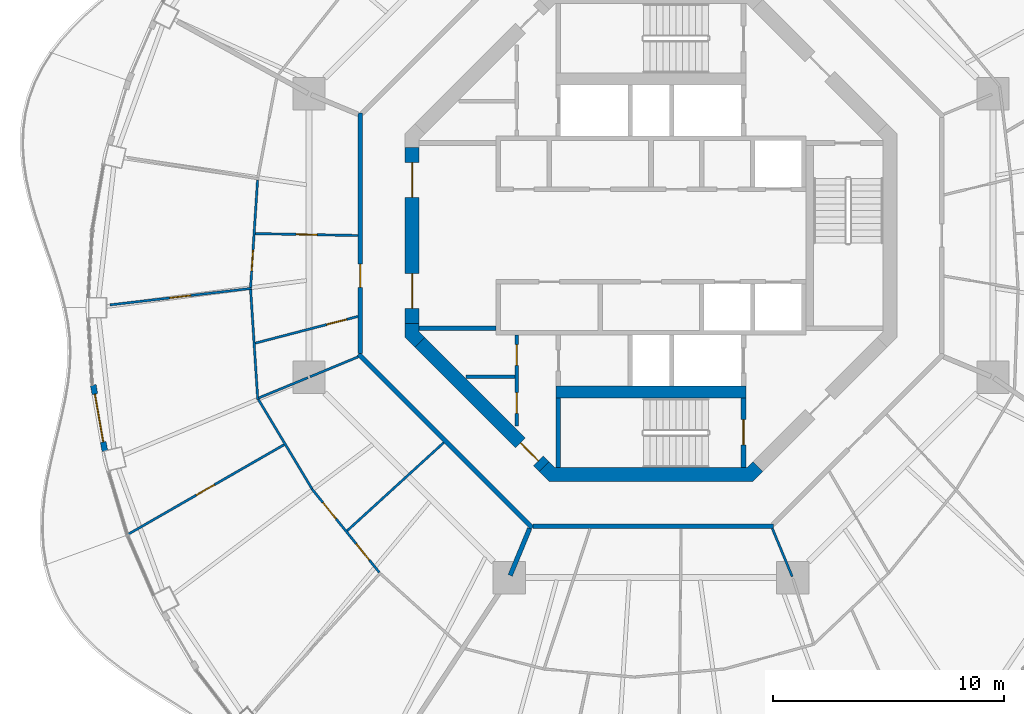
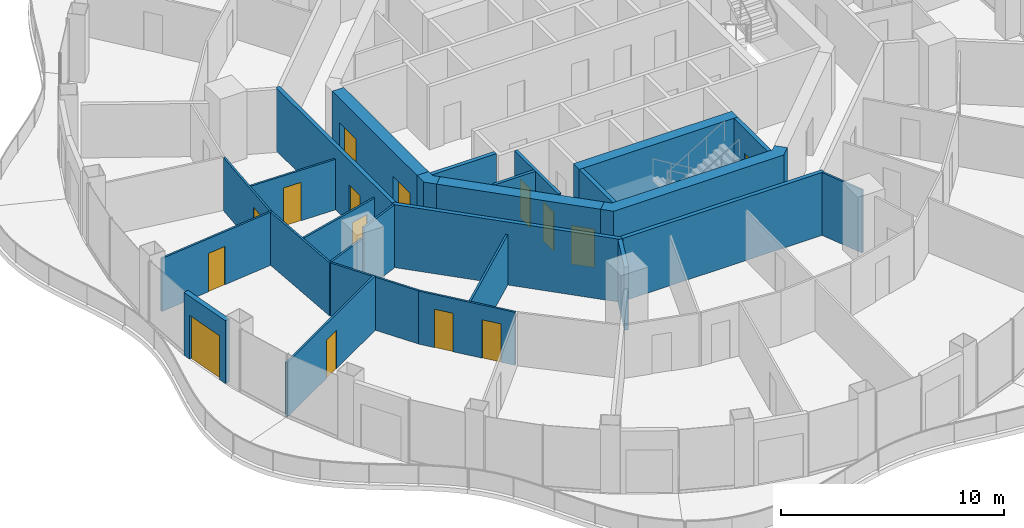
# One storey, part 10 of 17: 27 walls, 15 doors, 15 openings.
"""IFC4 building model written with IfcOpenShell, lengths in metres."""

from ifc_helpers import new_model, si_unit, direction, frame, frame_2d, origin, place, context, subcontext, project, spatial, polyline, rectangle, outline, extrude, material, layer, layer_set, type_object, element, fill, save


model = new_model("IFC4")

# Units and contexts
model_context = context("Model", 3, precision=1e-05, world=origin(), true_north=direction((0.0, 1.0)))
body_context = subcontext(model_context, "Body", "Model", "MODEL_VIEW")
ifc_project = project(units=[si_unit("LENGTHUNIT", "METRE"), si_unit("AREAUNIT", "SQUARE_METRE"), si_unit("VOLUMEUNIT", "CUBIC_METRE"), si_unit("PLANEANGLEUNIT", "RADIAN"), si_unit("MASSUNIT", "GRAM", prefix="KILO")], contexts=[model_context])

# Site, building, storey
site_placement = place(None, origin())
site = spatial("IfcSite", under=ifc_project, at=site_placement, CompositionType="ELEMENT")
building_placement = place(site_placement, origin())
building = spatial("IfcBuilding", under=site, at=building_placement, Name="Nagisa Residences", CompositionType="ELEMENT")
storey_placement = place(building_placement, frame((0.0, 0.0, 265.89990234375)))
storey = spatial("IfcBuildingStorey", under=building, at=storey_placement, Name="L67", CompositionType="ELEMENT", Elevation=265.89990234375)

# Wall
ifc_material_1 = material(Name="Gypsum board on steel studs", Category="steel")
ifc_layer_1 = layer(ifc_material_1, 0.199951171875)
ifc_layer_set_1 = layer_set([ifc_layer_1], Name="Apartment compartment wall EI60 200")
wall_type_1 = type_object("IfcWallType", Name="Apartment compartment wall EI60 200", PredefinedType="PARTITIONING", material=ifc_layer_set_1)
wall_1_placement = place(storey_placement, frame((-5.24267578125, -12.6572265625, 0.0), z_axis=(0.0, 0.0, 1.0), x_axis=(-0.382770106157, -0.923843626288, 0.0)))
element("IfcWall", 1, at=wall_1_placement, inside=storey, type_object=wall_type_1, Name="wall:L67:u04", PredefinedType="PARTITIONING", context=body_context, shape_type="SweptSolid", body=[
    extrude(rectangle(XDim=2.19921875, YDim=0.199951171875, at=frame_2d((1.099609375, 0.0))), origin(), (0.0, 0.0, 1.0), 3.440185546875),
])

# Wall, opening, door
ifc_material_2 = material(Name="Gypsum board on steel studs", Category="steel")
ifc_layer_2 = layer(ifc_material_2, 0.199951171875)
ifc_layer_set_2 = layer_set([ifc_layer_2], Name="Apartment entry wall EI60 200")
wall_type_2 = type_object("IfcWallType", Name="Apartment entry wall EI60 200", PredefinedType="PARTITIONING", material=ifc_layer_set_2)
wall_2_placement = place(storey_placement, frame((-12.564697265625, 5.304443359375, 0.0), z_axis=(0.0, 0.0, 1.0), x_axis=(0.0, -1.0, 0.0)))
wall_2 = element("IfcWall", 2, at=wall_2_placement, inside=storey, type_object=wall_type_2, Name="wall:L67:u12", PredefinedType="PARTITIONING", context=body_context, shape_type="SweptSolid", body=[
    extrude(rectangle(XDim=10.408935546875, YDim=0.199951171875, at=frame_2d((5.20458984375, 0.0))), origin(), (0.0, 0.0, 1.0), 3.440185546875),
])
opening_1_placement = place(wall_2_placement, frame((6.539306640625, 0.0, 0.0)))
opening_1 = element("IfcOpeningElement", 3, at=opening_1_placement, cuts=wall_2, Name="Opening L67-U18", PredefinedType="OPENING", context=body_context, shape_type="SweptSolid", body=[
    extrude(rectangle(XDim=1.0, YDim=2.10009765625, at=frame_2d((0.5, 1.050048828125))), frame((0.0, 0.10986328125, 0.0), z_axis=(0.0, -1.0, 0.0), x_axis=(1.0, 0.0, 0.0)), (0.0, 0.0, 1.0), 0.219970703125),
])
ifc_material_3 = material(Name="Timber fire door set", Category="wood")
door_type_1 = type_object("IfcDoorType", Name="Apartment entry door FD30S 1000x2100", OperationType="NOTDEFINED", PredefinedType="DOOR", material=ifc_material_3)
door_1_placement = place(opening_1_placement, frame((1.0, 0.0, 0.0), x_axis=(-1.0, 0.0, 0.0)))
door_1 = element("IfcDoor", 4, at=door_1_placement, inside=storey, type_object=door_type_1, Name="Entry door, Apartment 67C", OperationType="SINGLE_SWING_LEFT", OverallHeight=2.10009765625, OverallWidth=1.0, PredefinedType="DOOR", context=body_context, shape_type="SweptSolid", body=[
    extrude(rectangle(XDim=1.0, YDim=2.10009765625, at=frame_2d((0.5, 1.050048828125))), frame((0.0, 0.02490234375, 0.0), z_axis=(0.0, -1.0, 0.0), x_axis=(1.0, 0.0, 0.0)), (0.0, 0.0, 1.0), 0.050048828125),
])
fill(opening_1, door_1)

# Walls
wall_3_placement = place(storey_placement, frame((-12.635498046875, -5.1337890625, 0.0), z_axis=(0.0, 0.0, 1.0), x_axis=(0.707106781187, -0.707106781187, 0.0)))
element("IfcWall", 5, at=wall_3_placement, inside=storey, type_object=wall_type_2, Name="wall:L67:u13", PredefinedType="PARTITIONING", context=body_context, shape_type="SweptSolid", body=[
    extrude(rectangle(XDim=10.609130859375, YDim=0.199951171875, at=frame_2d((5.3046875, 0.0))), origin(), (0.0, 0.0, 1.0), 3.440185546875),
])
wall_4_placement = place(storey_placement, frame((-5.1044921875, -12.564697265625, 0.0), z_axis=(0.0, 0.0, 1.0), x_axis=(1.0, 0.0, 0.0)))
element("IfcWall", 6, at=wall_4_placement, inside=storey, type_object=wall_type_2, Name="wall:L67:u14", PredefinedType="PARTITIONING", context=body_context, shape_type="SweptSolid", body=[
    extrude(rectangle(XDim=10.408935546875, YDim=0.199951171875, at=frame_2d((5.20458984375, 0.0))), origin(), (0.0, 0.0, 1.0), 3.440185546875),
])

# Wall, opening, door
ifc_material_4 = material(Name="Gypsum board on steel studs", Category="steel")
ifc_layer_3 = layer(ifc_material_4, 0.10009765625)
ifc_layer_set_3 = layer_set([ifc_layer_3], Name="Apartment partition 100")
wall_type_3 = type_object("IfcWallType", Name="Apartment partition 100", PredefinedType="PARTITIONING", material=ifc_layer_set_3)
wall_5_placement = place(storey_placement, frame((-17.001708984375, 2.40869140625, 0.0), z_axis=(0.0, 0.0, 1.0), x_axis=(-0.064855550758, -0.997894662545, 0.0)))
wall_5 = element("IfcWall", 7, at=wall_5_placement, inside=storey, type_object=wall_type_3, Name="wall:L67:u41", PredefinedType="PARTITIONING", context=body_context, shape_type="SweptSolid", body=[
    extrude(rectangle(XDim=4.656494140625, YDim=0.10009765625, at=frame_2d((2.328125, 0.0))), origin(), (0.0, 0.0, 1.0), 2.905029296875),
])
opening_2_placement = place(wall_5_placement, frame((3.04248046875, 0.0, 0.0)))
opening_2 = element("IfcOpeningElement", 8, at=opening_2_placement, cuts=wall_5, Name="Opening L67-U22", PredefinedType="OPENING", context=body_context, shape_type="SweptSolid", body=[
    extrude(rectangle(XDim=0.89990234375, YDim=2.10009765625, at=frame_2d((0.449951171875, 1.050048828125))), frame((0.0, 0.06005859375, 0.0), z_axis=(0.0, -1.0, 0.0), x_axis=(1.0, 0.0, 0.0)), (0.0, 0.0, 1.0), 0.1201171875),
])
ifc_material_5 = material(Name="Timber door set", Category="wood")
door_type_2 = type_object("IfcDoorType", Name="Apartment door 900x2100", OperationType="NOTDEFINED", PredefinedType="DOOR", material=ifc_material_5)
door_2_placement = place(opening_2_placement, frame((0.89990234375, 0.0, 0.0), x_axis=(-1.0, 0.0, 0.0)))
door_2 = element("IfcDoor", 9, at=door_2_placement, inside=storey, type_object=door_type_2, Name="Door to kitchen, Apartment 67C", OperationType="SINGLE_SWING_LEFT", OverallHeight=2.10009765625, OverallWidth=0.89990234375, PredefinedType="DOOR", context=body_context, shape_type="SweptSolid", body=[
    extrude(rectangle(XDim=0.89990234375, YDim=2.10009765625, at=frame_2d((0.449951171875, 1.050048828125))), frame((0.0, 0.02490234375, 0.0), z_axis=(0.0, -1.0, 0.0), x_axis=(1.0, 0.0, 0.0)), (0.0, 0.0, 1.0), 0.050048828125),
])
fill(opening_2, door_2)

wall_6_placement = place(storey_placement, frame((-12.664794921875, 0.001953125, 0.0), z_axis=(0.0, 0.0, 1.0), x_axis=(-0.999827178165, 0.018590691287, 0.0)))
wall_6 = element("IfcWall", 10, at=wall_6_placement, inside=storey, type_object=wall_type_3, Name="wall:L67:u42", PredefinedType="PARTITIONING", context=body_context, shape_type="SweptSolid", body=[
    extrude(rectangle(XDim=4.438720703125, YDim=0.10009765625, at=frame_2d((2.21923828125, 0.0))), origin(), (0.0, 0.0, 1.0), 2.76220703125),
])
opening_3_placement = place(wall_6_placement, frame((1.769287109375, 0.0, 0.0)))
opening_3 = element("IfcOpeningElement", 11, at=opening_3_placement, cuts=wall_6, Name="Opening L67-U19", PredefinedType="OPENING", context=body_context, shape_type="SweptSolid", body=[
    extrude(rectangle(XDim=0.89990234375, YDim=2.10009765625, at=frame_2d((0.449951171875, 1.050048828125))), frame((0.0, 0.06005859375, 0.0), z_axis=(0.0, -1.0, 0.0), x_axis=(1.0, 0.0, 0.0)), (0.0, 0.0, 1.0), 0.1201171875),
])
door_3_placement = place(opening_3_placement, frame((0.89990234375, 0.0, 0.0), x_axis=(-1.0, 0.0, 0.0)))
door_3 = element("IfcDoor", 12, at=door_3_placement, inside=storey, type_object=door_type_2, Name="Door to laundry, Apartment 67C", OperationType="SINGLE_SWING_RIGHT", OverallHeight=2.10009765625, OverallWidth=0.89990234375, PredefinedType="DOOR", context=body_context, shape_type="SweptSolid", body=[
    extrude(rectangle(XDim=0.89990234375, YDim=2.10009765625, at=frame_2d((0.449951171875, 1.050048828125))), frame((0.0, 0.02490234375, 0.0), z_axis=(0.0, -1.0, 0.0), x_axis=(1.0, 0.0, 0.0)), (0.0, 0.0, 1.0), 0.050048828125),
])
fill(opening_3, door_3)

wall_7_placement = place(storey_placement, frame((-17.257080078125, -2.2822265625, 0.0), z_axis=(0.0, 0.0, 1.0), x_axis=(-0.993266024162, -0.11585596767, 0.0)))
wall_7 = element("IfcWall", 13, at=wall_7_placement, inside=storey, type_object=wall_type_3, Name="wall:L67:u43", PredefinedType="PARTITIONING", context=body_context, shape_type="SweptSolid", body=[
    extrude(rectangle(XDim=6.16796875, YDim=0.10009765625, at=frame_2d((3.083984375, 0.0))), origin(), (0.0, 0.0, 1.0), 2.905029296875),
])
opening_4_placement = place(wall_7_placement, frame((2.658935546875, 0.0, 0.0)))
opening_4 = element("IfcOpeningElement", 14, at=opening_4_placement, cuts=wall_7, Name="Opening L67-U23", PredefinedType="OPENING", context=body_context, shape_type="SweptSolid", body=[
    extrude(rectangle(XDim=0.89990234375, YDim=2.10009765625, at=frame_2d((0.449951171875, 1.050048828125))), frame((0.0, 0.06005859375, 0.0), z_axis=(0.0, -1.0, 0.0), x_axis=(1.0, 0.0, 0.0)), (0.0, 0.0, 1.0), 0.1201171875),
])
door_4_placement = place(opening_4_placement, origin())
door_4 = element("IfcDoor", 15, at=door_4_placement, inside=storey, type_object=door_type_2, Name="Door to dining room, Apartment 67C", OperationType="SINGLE_SWING_LEFT", OverallHeight=2.10009765625, OverallWidth=0.89990234375, PredefinedType="DOOR", context=body_context, shape_type="SweptSolid", body=[
    extrude(rectangle(XDim=0.89990234375, YDim=2.10009765625, at=frame_2d((0.449951171875, 1.050048828125))), frame((0.0, 0.02490234375, 0.0), z_axis=(0.0, -1.0, 0.0), x_axis=(1.0, 0.0, 0.0)), (0.0, 0.0, 1.0), 0.050048828125),
])
fill(opening_4, door_4)

# Wall
wall_8_placement = place(storey_placement, frame((-17.3037109375, -2.337890625, 0.0), z_axis=(0.0, 0.0, 1.0), x_axis=(0.065003615989, -0.997885028402, 0.0)))
element("IfcWall", 16, at=wall_8_placement, inside=storey, type_object=wall_type_3, Name="wall:L67:u44", PredefinedType="PARTITIONING", context=body_context, shape_type="SweptSolid", body=[
    extrude(rectangle(XDim=4.758544921875, YDim=0.10009765625, at=frame_2d((2.37939453125, 0.0))), origin(), (0.0, 0.0, 1.0), 2.905029296875),
])

# Wall, opening, door
wall_9_placement = place(storey_placement, frame((-12.66162109375, -3.494873046875, 0.0), z_axis=(0.0, 0.0, 1.0), x_axis=(-0.967834941053, -0.251586022817, 0.0)))
wall_9 = element("IfcWall", 17, at=wall_9_placement, inside=storey, type_object=wall_type_3, Name="wall:L67:u45", PredefinedType="PARTITIONING", context=body_context, shape_type="SweptSolid", body=[
    extrude(rectangle(XDim=4.590087890625, YDim=0.10009765625, at=frame_2d((2.294921875, 0.0))), origin(), (0.0, 0.0, 1.0), 2.76220703125),
])
opening_5_placement = place(wall_9_placement, frame((0.49951171875, 0.0, 0.0)))
opening_5 = element("IfcOpeningElement", 18, at=opening_5_placement, cuts=wall_9, Name="Opening L67-U20", PredefinedType="OPENING", context=body_context, shape_type="SweptSolid", body=[
    extrude(rectangle(XDim=0.89990234375, YDim=2.10009765625, at=frame_2d((0.449951171875, 1.050048828125))), frame((0.0, 0.06005859375, 0.0), z_axis=(0.0, -1.0, 0.0), x_axis=(1.0, 0.0, 0.0)), (0.0, 0.0, 1.0), 0.1201171875),
])
door_5_placement = place(opening_5_placement, origin())
door_5 = element("IfcDoor", 19, at=door_5_placement, inside=storey, type_object=door_type_2, Name="Door to family bathroom, Apartment 67C", OperationType="SINGLE_SWING_RIGHT", OverallHeight=2.10009765625, OverallWidth=0.89990234375, PredefinedType="DOOR", context=body_context, shape_type="SweptSolid", body=[
    extrude(rectangle(XDim=0.89990234375, YDim=2.10009765625, at=frame_2d((0.449951171875, 1.050048828125))), frame((0.0, 0.02490234375, 0.0), z_axis=(0.0, -1.0, 0.0), x_axis=(1.0, 0.0, 0.0)), (0.0, 0.0, 1.0), 0.050048828125),
])
fill(opening_5, door_5)

# Walls
wall_10_placement = place(storey_placement, frame((-12.6572265625, -5.24267578125, 0.0), z_axis=(0.0, 0.0, 1.0), x_axis=(-0.923864733477, -0.382719158442, 0.0)))
element("IfcWall", 20, at=wall_10_placement, inside=storey, type_object=wall_type_3, Name="wall:L67:u46", PredefinedType="PARTITIONING", context=body_context, shape_type="SweptSolid", body=[
    extrude(rectangle(XDim=2.25, YDim=0.10009765625, at=frame_2d((1.125, 0.0))), origin(), (0.0, 0.0, 1.0), 3.440185546875),
])
wall_11_placement = place(storey_placement, frame((-14.828369140625, -6.14208984375, 0.0), z_axis=(0.0, 0.0, 1.0), x_axis=(-0.924479819749, -0.381230983627, 0.0)))
element("IfcWall", 21, at=wall_11_placement, inside=storey, type_object=wall_type_3, Name="wall:L67:u47", PredefinedType="PARTITIONING", context=body_context, shape_type="SweptSolid", body=[
    extrude(rectangle(XDim=2.29638671875, YDim=0.10009765625, at=frame_2d((1.148193359375, 0.0))), origin(), (0.0, 0.0, 1.0), 2.905029296875),
])
wall_12_placement = place(storey_placement, frame((-16.971923828125, -7.07958984375, 0.0), z_axis=(0.0, 0.0, 1.0), x_axis=(0.514989049311, -0.857196756346, 0.0)))
element("IfcWall", 22, at=wall_12_placement, inside=storey, type_object=wall_type_3, Name="wall:L67:u48", PredefinedType="PARTITIONING", context=body_context, shape_type="SweptSolid", body=[
    extrude(rectangle(XDim=4.51171875, YDim=0.10009765625, at=frame_2d((2.255859375, 0.0))), origin(), (0.0, 0.0, 1.0), 2.905029296875),
])

# Wall, opening, door
wall_13_placement = place(storey_placement, frame((-15.853515625, -9.0380859375, 0.0), z_axis=(0.0, 0.0, 1.0), x_axis=(-0.867229230904, -0.497909089157, 0.0)))
wall_13 = element("IfcWall", 23, at=wall_13_placement, inside=storey, type_object=wall_type_3, Name="wall:L67:u49", PredefinedType="PARTITIONING", context=body_context, shape_type="SweptSolid", body=[
    extrude(rectangle(XDim=7.852783203125, YDim=0.10009765625, at=frame_2d((3.92626953125, 0.0))), origin(), (0.0, 0.0, 1.0), 2.983154296875),
])
opening_6_placement = place(wall_13_placement, frame((3.476318359375, 0.0, 0.0)))
opening_6 = element("IfcOpeningElement", 24, at=opening_6_placement, cuts=wall_13, Name="Opening L67-U24", PredefinedType="OPENING", context=body_context, shape_type="SweptSolid", body=[
    extrude(rectangle(XDim=0.89990234375, YDim=2.10009765625, at=frame_2d((0.449951171875, 1.050048828125))), frame((0.0, 0.06005859375, 0.0), z_axis=(0.0, -1.0, 0.0), x_axis=(1.0, 0.0, 0.0)), (0.0, 0.0, 1.0), 0.1201171875),
])
door_6_placement = place(opening_6_placement, origin())
door_6 = element("IfcDoor", 25, at=door_6_placement, inside=storey, type_object=door_type_2, Name="Door to living room, Apartment 67C", OperationType="SINGLE_SWING_RIGHT", OverallHeight=2.10009765625, OverallWidth=0.89990234375, PredefinedType="DOOR", context=body_context, shape_type="SweptSolid", body=[
    extrude(rectangle(XDim=0.89990234375, YDim=2.10009765625, at=frame_2d((0.449951171875, 1.050048828125))), frame((0.0, 0.02490234375, 0.0), z_axis=(0.0, -1.0, 0.0), x_axis=(1.0, 0.0, 0.0)), (0.0, 0.0, 1.0), 0.050048828125),
])
fill(opening_6, door_6)

# Wall, openings, doors
wall_14_placement = place(storey_placement, frame((-14.654052734375, -10.950927734375, 0.0), z_axis=(0.0, 0.0, 1.0), x_axis=(0.62815308134, -0.778089780426, 0.0)))
wall_14 = element("IfcWall", 26, at=wall_14_placement, inside=storey, type_object=wall_type_3, Name="wall:L67:u50", PredefinedType="PARTITIONING", context=body_context, shape_type="SweptSolid", body=[
    extrude(rectangle(XDim=4.632568359375, YDim=0.10009765625, at=frame_2d((2.31640625, 0.0))), origin(), (0.0, 0.0, 1.0), 2.905029296875),
])
opening_7_placement = place(wall_14_placement, frame((0.758056640625, 0.0, 0.0)))
opening_7 = element("IfcOpeningElement", 27, at=opening_7_placement, cuts=wall_14, Name="Opening L67-U26", PredefinedType="OPENING", context=body_context, shape_type="SweptSolid", body=[
    extrude(rectangle(XDim=0.89990234375, YDim=2.10009765625, at=frame_2d((0.449951171875, 1.050048828125))), frame((0.0, 0.06005859375, 0.0), z_axis=(0.0, -1.0, 0.0), x_axis=(1.0, 0.0, 0.0)), (0.0, 0.0, 1.0), 0.1201171875),
])
opening_8_placement = place(wall_14_placement, frame((3.04931640625, 0.0, 0.0)))
opening_8 = element("IfcOpeningElement", 28, at=opening_8_placement, cuts=wall_14, Name="Opening L67-U27", PredefinedType="OPENING", context=body_context, shape_type="SweptSolid", body=[
    extrude(rectangle(XDim=0.89990234375, YDim=2.10009765625, at=frame_2d((0.449951171875, 1.050048828125))), frame((0.0, 0.06005859375, 0.0), z_axis=(0.0, -1.0, 0.0), x_axis=(1.0, 0.0, 0.0)), (0.0, 0.0, 1.0), 0.1201171875),
])
door_7_placement = place(opening_7_placement, origin())
door_7 = element("IfcDoor", 29, at=door_7_placement, inside=storey, type_object=door_type_2, Name="Door to store, Apartment 67C", OperationType="SINGLE_SWING_RIGHT", OverallHeight=2.10009765625, OverallWidth=0.89990234375, PredefinedType="DOOR", context=body_context, shape_type="SweptSolid", body=[
    extrude(rectangle(XDim=0.89990234375, YDim=2.10009765625, at=frame_2d((0.449951171875, 1.050048828125))), frame((0.0, 0.02490234375, 0.0), z_axis=(0.0, -1.0, 0.0), x_axis=(1.0, 0.0, 0.0)), (0.0, 0.0, 1.0), 0.050048828125),
])
fill(opening_7, door_7)
door_8_placement = place(opening_8_placement, origin())
door_8 = element("IfcDoor", 30, at=door_8_placement, inside=storey, type_object=door_type_2, Name="Door to laundry, Apartment 67C", OperationType="SINGLE_SWING_LEFT", OverallHeight=2.10009765625, OverallWidth=0.89990234375, PredefinedType="DOOR", context=body_context, shape_type="SweptSolid", body=[
    extrude(rectangle(XDim=0.89990234375, YDim=2.10009765625, at=frame_2d((0.449951171875, 1.050048828125))), frame((0.0, 0.02490234375, 0.0), z_axis=(0.0, -1.0, 0.0), x_axis=(1.0, 0.0, 0.0)), (0.0, 0.0, 1.0), 0.050048828125),
])
fill(opening_8, door_8)

# Walls
wall_15_placement = place(storey_placement, frame((-8.95849609375, -8.9521484375, 0.0), z_axis=(0.0, 0.0, 1.0), x_axis=(-0.73876526954, -0.673962815385, 0.0)))
element("IfcWall", 31, at=wall_15_placement, inside=storey, type_object=wall_type_3, Name="wall:L67:u51", PredefinedType="PARTITIONING", context=body_context, shape_type="SweptSolid", body=[
    extrude(rectangle(XDim=5.6474609375, YDim=0.10009765625, at=frame_2d((2.82373046875, 0.0))), origin(), (0.0, 0.0, 1.0), 2.76220703125),
])
wall_16_placement = place(storey_placement, frame((5.24267578125, -12.6572265625, 0.0), z_axis=(0.0, 0.0, 1.0), x_axis=(0.382719158442, -0.923864733477, 0.0)))
element("IfcWall", 32, at=wall_16_placement, inside=storey, type_object=wall_type_3, Name="wall:L67:u61", PredefinedType="PARTITIONING", context=body_context, shape_type="SweptSolid", body=[
    extrude(rectangle(XDim=2.25, YDim=0.10009765625, at=frame_2d((1.125, 0.0))), origin(), (0.0, 0.0, 1.0), 3.440185546875),
])

# Wall, opening, door
ifc_material_6 = material(Name="Precast concrete C40/50", Category="concrete")
ifc_layer_4 = layer(ifc_material_6, 0.25)
ifc_layer_set_4 = layer_set([ifc_layer_4], Name="BALCONY DOOR WALL 250")
wall_type_4 = type_object("IfcWallType", Name="BALCONY DOOR WALL 250", PredefinedType="SOLIDWALL", material=ifc_layer_set_4)
wall_17_placement = place(storey_placement, frame((-23.603515625, -9.31494140625, 0.0), z_axis=(0.0, 0.0, 1.0), x_axis=(-0.172182411767, 0.985065082661, 0.0)))
wall_17 = element("IfcWall", 33, at=wall_17_placement, inside=storey, type_object=wall_type_4, Name="wall:L67:bay25", PredefinedType="SOLIDWALL", context=body_context, shape_type="SweptSolid", body=[
    extrude(rectangle(XDim=2.902587890625, YDim=0.25, at=frame_2d((1.451171875, 0.0))), origin(), (0.0, 0.0, 1.0), 3.440185546875),
])
opening_9_placement = place(wall_17_placement, frame((0.401123046875, 0.0, 0.0)))
opening_9 = element("IfcOpeningElement", 34, at=opening_9_placement, cuts=wall_17, Name="Opening BD-L67-09", PredefinedType="OPENING", context=body_context, shape_type="SweptSolid", body=[
    extrude(rectangle(XDim=2.10009765625, YDim=2.39990234375, at=frame_2d((1.050048828125, 1.199951171875))), frame((0.0, 0.135009765625, 0.0), z_axis=(0.0, -1.0, 0.0), x_axis=(1.0, 0.0, 0.0)), (0.0, 0.0, 1.0), 0.27001953125),
])
ifc_material_7 = material(Name="Aluminium and clear glass", Category="aluminium")
door_type_3 = type_object("IfcDoorType", Name="BALCONY SLIDING DOOR 2100x2400", OperationType="SLIDING_TO_LEFT", PredefinedType="DOOR", material=ifc_material_7)
door_9_placement = place(opening_9_placement, origin())
door_9 = element("IfcDoor", 35, at=door_9_placement, inside=storey, type_object=door_type_3, Name="door:L67:bay25", OperationType="SLIDING_TO_LEFT", OverallHeight=2.39990234375, OverallWidth=2.10009765625, PredefinedType="DOOR", context=body_context, shape_type="SweptSolid", body=[
    extrude(rectangle(XDim=2.10009765625, YDim=2.39990234375, at=frame_2d((1.050048828125, 1.199951171875))), frame((0.0, 0.02490234375, 0.0), z_axis=(0.0, -1.0, 0.0), x_axis=(1.0, 0.0, 0.0)), (0.0, 0.0, 1.0), 0.050048828125),
])
fill(opening_9, door_9)

# Wall, openings, doors
ifc_material_8 = material(Name="Gypsum board on steel studs", Category="steel")
ifc_layer_5 = layer(ifc_material_8, 0.14990234375)
ifc_layer_set_5 = layer_set([ifc_layer_5], Name="Core partition 150")
wall_type_5 = type_object("IfcWallType", Name="Core partition 150", PredefinedType="PARTITIONING", material=ifc_layer_set_5)
wall_18_placement = place(storey_placement, frame((-5.800048828125, -8.22705078125, 0.0), z_axis=(0.0, 0.0, 1.0), x_axis=(0.0, 1.0, 0.0)))
wall_18 = element("IfcWall", 36, at=wall_18_placement, inside=storey, type_object=wall_type_5, Name="wall:L67:SWp", PredefinedType="PARTITIONING", context=body_context, shape_type="SweptSolid", body=[
    extrude(rectangle(XDim=3.927001953125, YDim=0.14990234375, at=frame_2d((1.96337890625, 0.0))), origin(), (0.0, 0.0, 1.0), 3.440185546875),
])
opening_10_placement = place(wall_18_placement, frame((2.614501953125, 0.0, 0.0)))
opening_10 = element("IfcOpeningElement", 37, at=opening_10_placement, cuts=wall_18, Name="Opening L67-C12", PredefinedType="OPENING", context=body_context, shape_type="SweptSolid", body=[
    extrude(rectangle(XDim=0.89990234375, YDim=2.10009765625, at=frame_2d((0.449951171875, 1.050048828125))), frame((0.0, 0.0849609375, 0.0), z_axis=(0.0, -1.0, 0.0), x_axis=(1.0, 0.0, 0.0)), (0.0, 0.0, 1.0), 0.169921875),
])
opening_11_placement = place(wall_18_placement, frame((0.53857421875, 0.0, 0.0)))
opening_11 = element("IfcOpeningElement", 38, at=opening_11_placement, cuts=wall_18, Name="Opening L67-C13", PredefinedType="OPENING", context=body_context, shape_type="SweptSolid", body=[
    extrude(rectangle(XDim=0.89990234375, YDim=2.10009765625, at=frame_2d((0.449951171875, 1.050048828125))), frame((0.0, 0.0849609375, 0.0), z_axis=(0.0, -1.0, 0.0), x_axis=(1.0, 0.0, 0.0)), (0.0, 0.0, 1.0), 0.169921875),
])
ifc_material_9 = material(Name="Steel fire door", Category="steel")
door_type_4 = type_object("IfcDoorType", Name="Fire door EI30 900x2100 single swing", OperationType="NOTDEFINED", PredefinedType="DOOR", material=ifc_material_9)
door_10_placement = place(opening_10_placement, origin())
door_10 = element("IfcDoor", 39, at=door_10_placement, inside=storey, type_object=door_type_4, Name="Valet store door L67", OperationType="SINGLE_SWING_RIGHT", OverallHeight=2.10009765625, OverallWidth=0.89990234375, PredefinedType="DOOR", context=body_context, shape_type="SweptSolid", body=[
    extrude(rectangle(XDim=0.89990234375, YDim=2.10009765625, at=frame_2d((0.449951171875, 1.050048828125))), frame((0.0, 0.02490234375, 0.0), z_axis=(0.0, -1.0, 0.0), x_axis=(1.0, 0.0, 0.0)), (0.0, 0.0, 1.0), 0.050048828125),
])
fill(opening_10, door_10)
door_11_placement = place(opening_11_placement, origin())
door_11 = element("IfcDoor", 40, at=door_11_placement, inside=storey, type_object=door_type_4, Name="Staff WC door L67", OperationType="SINGLE_SWING_RIGHT", OverallHeight=2.10009765625, OverallWidth=0.89990234375, PredefinedType="DOOR", context=body_context, shape_type="SweptSolid", body=[
    extrude(rectangle(XDim=0.89990234375, YDim=2.10009765625, at=frame_2d((0.449951171875, 1.050048828125))), frame((0.0, 0.02490234375, 0.0), z_axis=(0.0, -1.0, 0.0), x_axis=(1.0, 0.0, 0.0)), (0.0, 0.0, 1.0), 0.050048828125),
])
fill(opening_11, door_11)

# Walls
wall_19_placement = place(storey_placement, frame((-8.0009765625, -6.10009765625, 0.0), z_axis=(0.0, 0.0, 1.0), x_axis=(1.0, 0.0, 0.0)))
element("IfcWall", 41, at=wall_19_placement, inside=storey, type_object=wall_type_5, Name="wall:L67:SWq", PredefinedType="PARTITIONING", context=body_context, shape_type="SweptSolid", body=[
    extrude(rectangle(XDim=2.1259765625, YDim=0.14990234375, at=frame_2d((1.06298828125, 0.0))), origin(), (0.0, 0.0, 1.0), 3.440185546875),
])
ifc_material_10 = material(Name="Gypsum board on steel studs", Category="steel")
ifc_layer_6 = layer(ifc_material_10, 0.199951171875)
ifc_layer_set_6 = layer_set([ifc_layer_6], Name="Core partition 200")
wall_type_6 = type_object("IfcWallType", Name="Core partition 200", PredefinedType="PARTITIONING", material=ifc_layer_set_6)
wall_20_placement = place(storey_placement, frame((-10.024658203125, -4.0, 0.0), z_axis=(0.0, 0.0, 1.0), x_axis=(1.0, 0.0, 0.0)))
element("IfcWall", 42, at=wall_20_placement, inside=storey, type_object=wall_type_6, Name="wall:L67:PSW", PredefinedType="PARTITIONING", context=body_context, shape_type="SweptSolid", body=[
    extrude(rectangle(XDim=3.32470703125, YDim=0.199951171875, at=frame_2d((1.662353515625, 0.0))), origin(), (0.0, 0.0, 1.0), 3.440185546875),
])

# Wall, openings, doors
ifc_material_11 = material(Name="Concrete C60", Category="concrete")
ifc_layer_7 = layer(ifc_material_11, 0.60009765625)
ifc_layer_set_7 = layer_set([ifc_layer_7], Name="Core shear wall 600")
wall_type_7 = type_object("IfcWallType", Name="Core shear wall 600", PredefinedType="SHEAR", material=ifc_layer_set_7)
wall_21_placement = place(storey_placement, frame((-10.32470703125, 3.80078125, 0.0), z_axis=(0.0, 0.0, 1.0), x_axis=(0.0, -1.0, 0.0)))
wall_21 = element("IfcWall", 43, at=wall_21_placement, inside=storey, type_object=wall_type_7, Name="wall:L67:core:flat4", PredefinedType="SHEAR", context=body_context, shape_type="SweptSolid", body=[
    extrude(rectangle(XDim=7.6015625, YDim=0.60009765625, at=frame_2d((3.80078125, 0.0))), origin(), (0.0, 0.0, 1.0), 3.440185546875),
])
opening_12_placement = place(wall_21_placement, frame((0.65087890625, 0.0, 0.0)))
opening_12 = element("IfcOpeningElement", 44, at=opening_12_placement, cuts=wall_21, Name="Opening L67-C23", PredefinedType="OPENING", context=body_context, shape_type="SweptSolid", body=[
    extrude(rectangle(XDim=1.5, YDim=2.10009765625, at=frame_2d((0.75, 1.050048828125))), frame((0.0, 0.31005859375, 0.0), z_axis=(0.0, -1.0, 0.0), x_axis=(1.0, 0.0, 0.0)), (0.0, 0.0, 1.0), 0.6201171875),
])
opening_13_placement = place(wall_21_placement, frame((5.450927734375, 0.0, 0.0)))
opening_13 = element("IfcOpeningElement", 45, at=opening_13_placement, cuts=wall_21, Name="Opening L67-C24", PredefinedType="OPENING", context=body_context, shape_type="SweptSolid", body=[
    extrude(rectangle(XDim=1.5, YDim=2.10009765625, at=frame_2d((0.75, 1.050048828125))), frame((0.0, 0.31005859375, 0.0), z_axis=(0.0, -1.0, 0.0), x_axis=(1.0, 0.0, 0.0)), (0.0, 0.0, 1.0), 0.6201171875),
])
ifc_material_12 = material(Name="Steel fire door", Category="steel")
door_type_5 = type_object("IfcDoorType", Name="Fire door EI60 1500x2100 double door single swing", OperationType="DOUBLE_DOOR_SINGLE_SWING", PredefinedType="DOOR", material=ifc_material_12)
door_12_placement = place(opening_12_placement, origin())
door_12 = element("IfcDoor", 46, at=door_12_placement, inside=storey, type_object=door_type_5, Name="Lift lobby door L67 1", OperationType="DOUBLE_DOOR_SINGLE_SWING", OverallHeight=2.10009765625, OverallWidth=1.5, PredefinedType="DOOR", context=body_context, shape_type="SweptSolid", body=[
    extrude(rectangle(XDim=1.5, YDim=2.10009765625, at=frame_2d((0.75, 1.050048828125))), frame((0.0, 0.02490234375, 0.0), z_axis=(0.0, -1.0, 0.0), x_axis=(1.0, 0.0, 0.0)), (0.0, 0.0, 1.0), 0.050048828125),
])
fill(opening_12, door_12)
door_13_placement = place(opening_13_placement, origin())
door_13 = element("IfcDoor", 47, at=door_13_placement, inside=storey, type_object=door_type_5, Name="Lift lobby door L67 2", OperationType="DOUBLE_DOOR_SINGLE_SWING", OverallHeight=2.10009765625, OverallWidth=1.5, PredefinedType="DOOR", context=body_context, shape_type="SweptSolid", body=[
    extrude(rectangle(XDim=1.5, YDim=2.10009765625, at=frame_2d((0.75, 1.050048828125))), frame((0.0, 0.02490234375, 0.0), z_axis=(0.0, -1.0, 0.0), x_axis=(1.0, 0.0, 0.0)), (0.0, 0.0, 1.0), 0.050048828125),
])
fill(opening_13, door_13)

# Wall, opening, door
wall_22_placement = place(storey_placement, frame((-9.98828125, -4.613037109375, 0.0), z_axis=(0.0, 0.0, 1.0), x_axis=(0.707106781187, -0.707106781187, 0.0)))
wall_22 = element("IfcWall", 48, at=wall_22_placement, inside=storey, type_object=wall_type_7, Name="wall:L67:core:flat5", PredefinedType="SHEAR", context=body_context, shape_type="SweptSolid", body=[
    extrude(rectangle(XDim=7.601806640625, YDim=0.60009765625, at=frame_2d((3.80078125, 0.0))), origin(), (0.0, 0.0, 1.0), 3.440185546875),
])
opening_14_placement = place(wall_22_placement, frame((6.15087890625, 0.0, 0.0)))
opening_14 = element("IfcOpeningElement", 49, at=opening_14_placement, cuts=wall_22, Name="Opening L67-C26", PredefinedType="OPENING", context=body_context, shape_type="SweptSolid", body=[
    extrude(rectangle(XDim=1.10009765625, YDim=2.10009765625, at=frame_2d((0.550048828125, 1.050048828125))), frame((0.0, 0.31005859375, 0.0), z_axis=(0.0, -1.0, 0.0), x_axis=(1.0, 0.0, 0.0)), (0.0, 0.0, 1.0), 0.6201171875),
])
ifc_material_13 = material(Name="Steel fire door", Category="steel")
door_type_6 = type_object("IfcDoorType", Name="Fire door EI60 1100x2100 single swing", OperationType="NOTDEFINED", PredefinedType="DOOR", material=ifc_material_13)
door_14_placement = place(opening_14_placement, origin())
door_14 = element("IfcDoor", 50, at=door_14_placement, inside=storey, type_object=door_type_6, Name="Housekeeping lobby door L67", OperationType="SINGLE_SWING_RIGHT", OverallHeight=2.10009765625, OverallWidth=1.10009765625, PredefinedType="DOOR", context=body_context, shape_type="SweptSolid", body=[
    extrude(rectangle(XDim=1.10009765625, YDim=2.10009765625, at=frame_2d((0.550048828125, 1.050048828125))), frame((0.0, 0.02490234375, 0.0), z_axis=(0.0, -1.0, 0.0), x_axis=(1.0, 0.0, 0.0)), (0.0, 0.0, 1.0), 0.050048828125),
])
fill(opening_14, door_14)

# Walls
wall_23_placement = place(storey_placement, origin())
element("IfcWall", 51, at=wall_23_placement, inside=storey, type_object=wall_type_7, Name="wall:L67:core:pier4", PredefinedType="SHEAR", context=body_context, shape_type="SweptSolid", body=[
    extrude(outline(polyline([(-10.62451171875, -3.80078125), (-10.024658203125, -3.80078125), (-10.024658203125, -4.15234375), (-9.776123046875, -4.40087890625), (-10.200439453125, -4.8251953125), (-10.62451171875, -4.40087890625), (-10.62451171875, -3.80078125)])), origin(), (0.0, 0.0, 1.0), 3.440185546875),
])
wall_24_placement = place(storey_placement, origin())
element("IfcWall", 52, at=wall_24_placement, inside=storey, type_object=wall_type_7, Name="wall:L67:core:flat6", PredefinedType="SHEAR", context=body_context, shape_type="SweptSolid", body=[
    extrude(outline(polyline([(-4.15234375, -10.024658203125), (4.15234375, -10.024658203125), (4.40087890625, -9.776123046875), (4.8251953125, -10.200439453125), (4.40087890625, -10.62451171875), (-4.40087890625, -10.62451171875), (-4.8251953125, -10.200439453125), (-4.40087890625, -9.776123046875), (-4.15234375, -10.024658203125)])), origin(), (0.0, 0.0, 1.0), 3.440185546875),
])

# Wall, opening, door
ifc_material_14 = material(Name="Concrete C60", Category="concrete")
ifc_layer_8 = layer(ifc_material_14, 0.199951171875)
ifc_layer_set_8 = layer_set([ifc_layer_8], Name="Stair enclosure wall 200")
wall_type_8 = type_object("IfcWallType", Name="Stair enclosure wall 200", PredefinedType="SOLIDWALL", material=ifc_layer_set_8)
wall_25_placement = place(storey_placement, frame((4.0, -10.024658203125, 0.0), z_axis=(0.0, 0.0, 1.0), x_axis=(0.0, 1.0, 0.0)))
wall_25 = element("IfcWall", 53, at=wall_25_placement, inside=storey, type_object=wall_type_8, Name="wall:L67:SS_e", PredefinedType="SOLIDWALL", context=body_context, shape_type="SweptSolid", body=[
    extrude(rectangle(XDim=3.0, YDim=0.199951171875, at=frame_2d((1.5, 0.0))), origin(), (0.0, 0.0, 1.0), 3.440185546875),
])
opening_15_placement = place(wall_25_placement, frame((0.974609375, 0.0, 0.0)))
opening_15 = element("IfcOpeningElement", 54, at=opening_15_placement, cuts=wall_25, Name="Opening L67-C09", PredefinedType="OPENING", context=body_context, shape_type="SweptSolid", body=[
    extrude(rectangle(XDim=1.10009765625, YDim=2.10009765625, at=frame_2d((0.550048828125, 1.050048828125))), frame((0.0, 0.10986328125, 0.0), z_axis=(0.0, -1.0, 0.0), x_axis=(1.0, 0.0, 0.0)), (0.0, 0.0, 1.0), 0.219970703125),
])
ifc_material_15 = material(Name="Steel fire door", Category="steel")
door_type_7 = type_object("IfcDoorType", Name="Fire door EI90 1100x2100 single swing", OperationType="NOTDEFINED", PredefinedType="DOOR", material=ifc_material_15)
door_15_placement = place(opening_15_placement, origin())
door_15 = element("IfcDoor", 55, at=door_15_placement, inside=storey, type_object=door_type_7, Name="Stair door ST-S L67", OperationType="SINGLE_SWING_RIGHT", OverallHeight=2.10009765625, OverallWidth=1.10009765625, PredefinedType="DOOR", context=body_context, shape_type="SweptSolid", body=[
    extrude(rectangle(XDim=1.10009765625, YDim=2.10009765625, at=frame_2d((0.550048828125, 1.050048828125))), frame((0.0, 0.02490234375, 0.0), z_axis=(0.0, -1.0, 0.0), x_axis=(1.0, 0.0, 0.0)), (0.0, 0.0, 1.0), 0.050048828125),
])
fill(opening_15, door_15)

# Walls
wall_26_placement = place(storey_placement, origin())
element("IfcWall", 56, at=wall_26_placement, inside=storey, type_object=wall_type_8, Name="wall:L67:SS_w", PredefinedType="SOLIDWALL", context=body_context, shape_type="SweptSolid", body=[
    extrude(outline(polyline([(-3.89990234375, -10.024658203125), (-4.10009765625, -10.024658203125), (-4.10009765625, -7.024658203125), (-3.89990234375, -7.024658203125), (-3.89990234375, -10.024658203125)])), origin(), (0.0, 0.0, 1.0), 3.440185546875),
])
wall_27_placement = place(storey_placement, origin())
element("IfcWall", 57, at=wall_27_placement, inside=storey, type_object=wall_type_8, Name="wall:L67:SS_n", PredefinedType="SOLIDWALL", context=body_context, shape_type="SweptSolid", body=[
    extrude(outline(polyline([(4.10009765625, -7.024658203125), (-4.10009765625, -7.024658203125), (-4.10009765625, -6.5), (4.10009765625, -6.5), (4.10009765625, -7.024658203125)])), origin(), (0.0, 0.0, 1.0), 3.440185546875),
])

save(model, "model.ifc")
